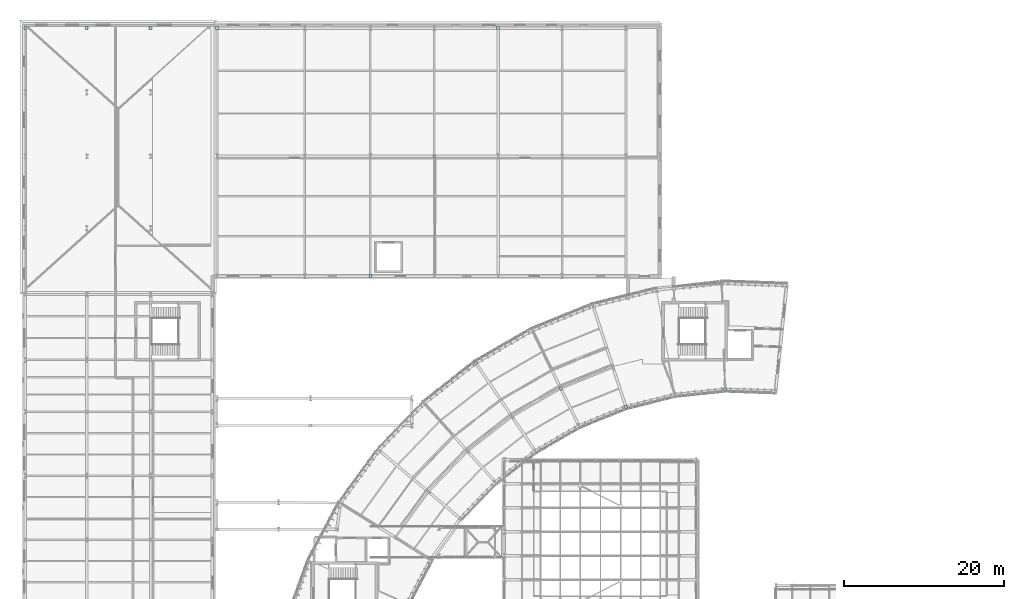
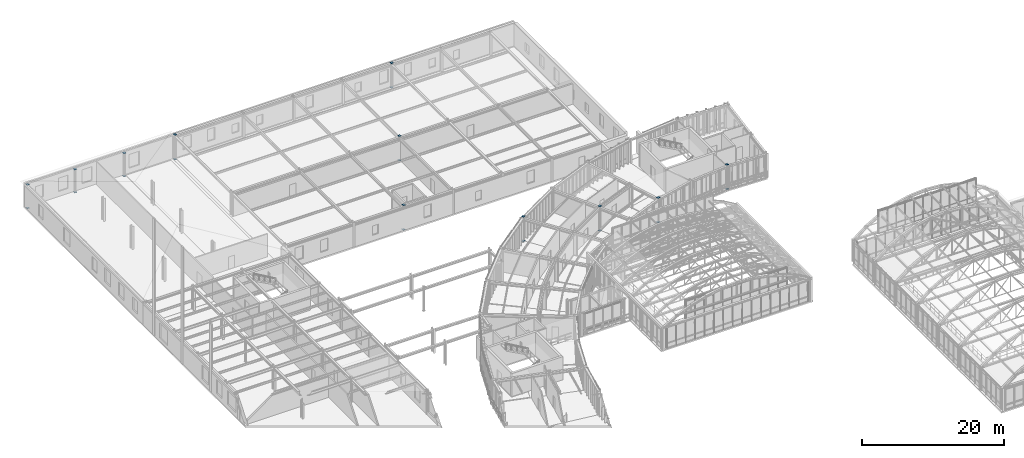
# One storey, part 121 of 148: 22 plates.
"""IFC4 building model written with IfcOpenShell, lengths in metres."""

from ifc_helpers import new_model, si_unit, direction, frame, origin, origin_2d, place, context, subcontext, project, spatial, rectangle, extrude, material, layer, layer_set, type_object, element, save


model = new_model("IFC4")

# Units and contexts
model_context = context("Model", 3, precision=1e-05, world=origin(), true_north=direction((0.0, 1.0)))
body_context = subcontext(model_context, "Body", "Model", "MODEL_VIEW")
ifc_project = project(units=[si_unit("LENGTHUNIT", "METRE"), si_unit("AREAUNIT", "SQUARE_METRE"), si_unit("VOLUMEUNIT", "CUBIC_METRE"), si_unit("PLANEANGLEUNIT", "RADIAN"), si_unit("MASSUNIT", "GRAM", prefix="KILO"), si_unit("THERMODYNAMICTEMPERATUREUNIT", "KELVIN"), si_unit("POWERUNIT", "WATT")], contexts=[model_context])

# Site, building, storey
site_placement = place(None, origin())
site = spatial("IfcSite", under=ifc_project, at=site_placement, CompositionType="ELEMENT")
building_placement = place(site_placement, origin())
building = spatial("IfcBuilding", under=site, at=building_placement, Name="Solvatero Civic Police Headquarters", CompositionType="ELEMENT")
storey_placement = place(building_placement, frame((0.0, 0.0, 5.10009765625)))
storey = spatial("IfcBuildingStorey", under=building, at=storey_placement, Name="L01", CompositionType="ELEMENT", Elevation=5.10009765625)

# Plates
ifc_material = material(Name="Steel S355", Category="steel")
ifc_layer = layer(ifc_material, 0.02001953125)
ifc_layer_set = layer_set([ifc_layer], Name="Steel S355")
plate_type = type_object("IfcPlateType", Name="PLT-CAP-20", PredefinedType="SHEET", material=ifc_layer_set)
for number, where, z_axis, x_axis, name in (
    (1, (92.417236328125, 71.322509765625, 4.199951171875), (0.0, 0.0, 1.0), (0.999390827019, 0.034899496703, 0.0), "Hollow Section End Cap Plate 0003"),
    (2, (92.417236328125, 71.322509765625, -0.02001953125), (0.0, 0.0, 1.0), (0.999390827019, 0.034899496703, 0.0), "Hollow Section End Cap Plate 0004"),
    (3, (79.986083984375, 69.13037109375, 4.199951171875), (0.0, 0.0, 1.0), (0.951056516295, 0.309016994375, 0.0), "Hollow Section End Cap Plate 0007"),
    (4, (79.986083984375, 69.13037109375, -0.02001953125), (0.0, 0.0, 1.0), (0.951056516295, 0.309016994375, 0.0), "Hollow Section End Cap Plate 0008"),
    (5, (71.84033203125, 71.43408203125, 4.199951171875), (0.0, 0.0, 1.0), (0.898794046299, 0.438371146789, 0.0), "Hollow Section End Cap Plate 0011"),
    (6, (71.84033203125, 71.43408203125, -0.02001953125), (0.0, 0.0, 1.0), (0.898794046299, 0.438371146789, 0.0), "Hollow Section End Cap Plate 0012"),
    (7, (61.203369140625, 74.623046875, 4.199951171875), (0.0, 0.0, 1.0), (0.829037572555, 0.559192903471, 0.0), "Hollow Section End Cap Plate 0017"),
    (8, (61.203369140625, 74.623046875, -0.02001953125), (0.0, 0.0, 1.0), (0.829037572555, 0.559192903471, 0.0), "Hollow Section End Cap Plate 0018"),
    (9, (28.800048828125, 116.550048828125, 4.199951171875), (0.0, 0.0, 1.0), (1.0, 0.0, 0.0), "Hollow Section End Cap Plate 0135"),
    (10, (28.800048828125, 116.550048828125, -0.02001953125), (0.0, 0.0, 1.0), (1.0, 0.0, 0.0), "Hollow Section End Cap Plate 0136"),
    (11, (48.0, 85.5, 4.199951171875), (0.0, 0.0, 1.0), (1.0, 0.0, 0.0), "Hollow Section End Cap Plate 0137"),
    (12, (48.0, 85.5, -0.02001953125), (0.0, 0.0, 1.0), (1.0, 0.0, 0.0), "Hollow Section End Cap Plate 0138"),
    (13, (56.0, 100.5, 4.199951171875), (0.0, 0.0, 1.0), (1.0, 0.0, 0.0), "Hollow Section End Cap Plate 0139"),
    (14, (56.0, 100.5, -0.02001953125), (0.0, 0.0, 1.0), (1.0, 0.0, 0.0), "Hollow Section End Cap Plate 0140"),
    (15, (64.0, 116.550048828125, 4.199951171875), (0.0, 0.0, 1.0), (1.0, 0.0, 0.0), "Hollow Section End Cap Plate 0141"),
    (16, (64.0, 116.550048828125, -0.02001953125), (0.0, 0.0, 1.0), (1.0, 0.0, 0.0), "Hollow Section End Cap Plate 0142"),
    (17, (4.800048828125, 116.550048828125, 4.019775390625), (0.0, 0.0, 1.0), (1.0, 0.0, 0.0), "Hollow Section End Cap Plate 0145"),
    (18, (4.800048828125, 116.550048828125, -0.02001953125), (0.0, 0.0, 1.0), (1.0, 0.0, 0.0), "Hollow Section End Cap Plate 0146"),
    (19, (12.5, 116.550048828125, 3.93994140625), (0.0, 0.0, 1.0), (1.0, 0.0, 0.0), "Hollow Section End Cap Plate 0147"),
    (20, (12.5, 116.550048828125, -0.02001953125), (0.0, 0.0, 1.0), (1.0, 0.0, 0.0), "Hollow Section End Cap Plate 0148"),
    (21, (20.5, 116.550048828125, 3.93994140625), (0.0, 0.0, 1.0), (1.0, 0.0, 0.0), "Hollow Section End Cap Plate 0149"),
    (22, (20.5, 116.550048828125, -0.02001953125), (0.0, 0.0, 1.0), (1.0, 0.0, 0.0), "Hollow Section End Cap Plate 0150"),
):
    element("IfcPlate", number, at=place(storey_placement, frame(where, z_axis=z_axis, x_axis=x_axis)), inside=storey, type_object=plate_type, Name=name, PredefinedType="SHEET", context=body_context, shape_type="SweptSolid", body=[
        extrude(rectangle(XDim=0.364013671875, YDim=0.364013671875, at=origin_2d()), origin(), (0.0, 0.0, 1.0), 0.02001953125),
    ])

save(model, "model.ifc")
